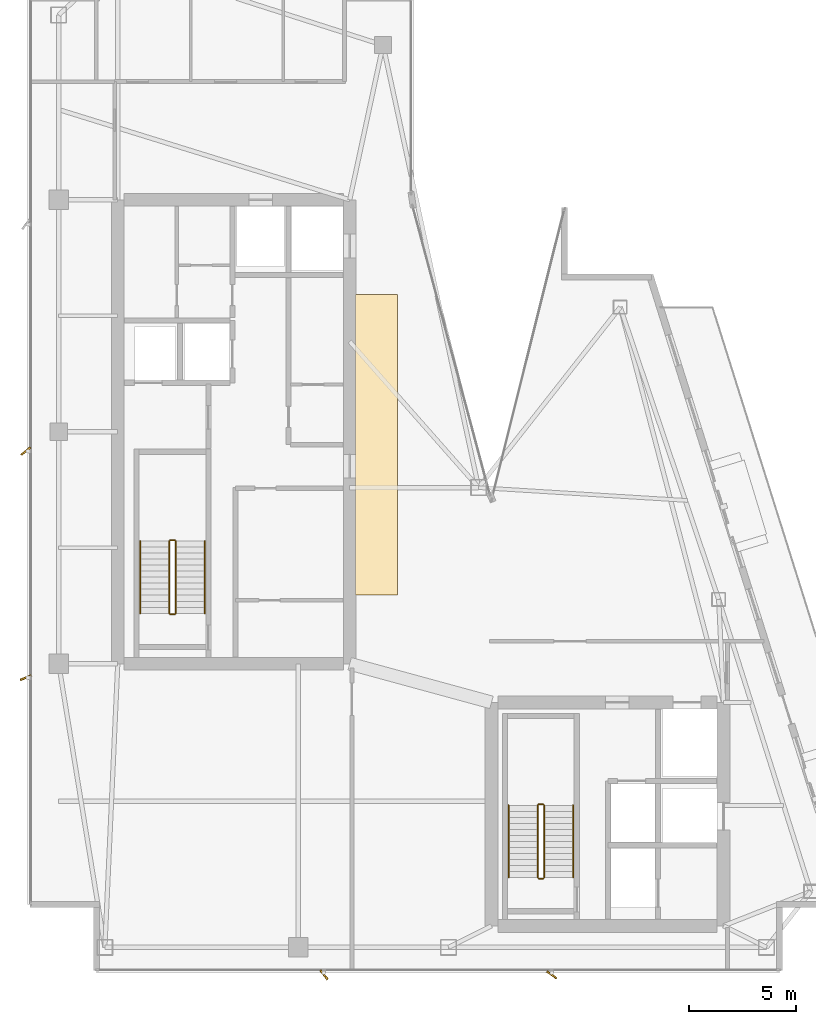
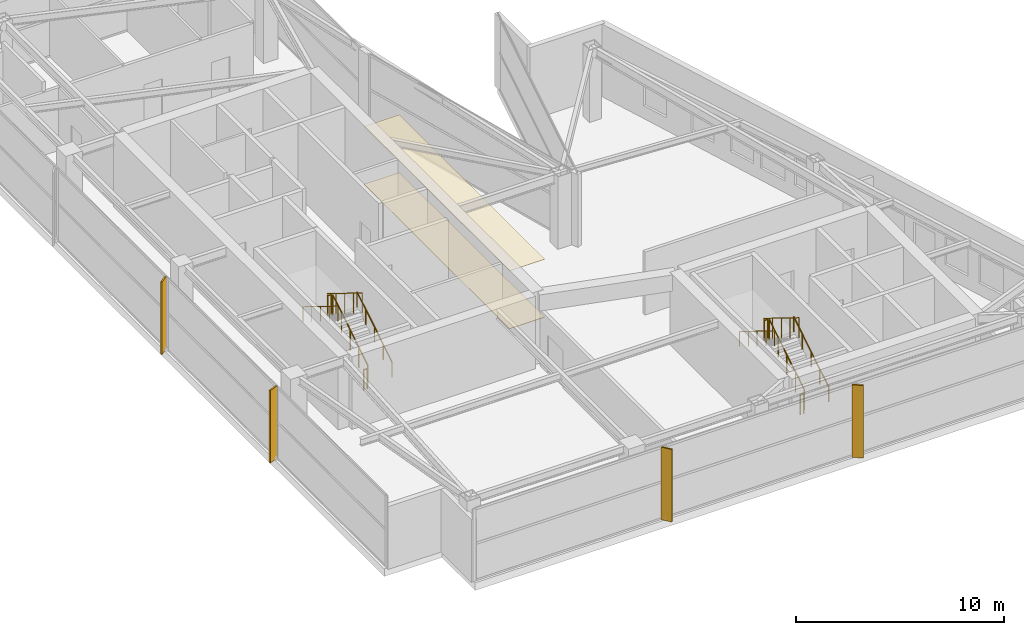
# One storey, part 24 of 25: 12 railings, 4 shading devices, 2 coverings.
"""IFC4 building model written with IfcOpenShell, lengths in metres."""

from ifc_helpers import new_model, si_unit, direction, frame, origin, origin_2d, place, context, subcontext, project, spatial, rectangle, circle, extrude, material, layer, layer_set, type_object, element, save


model = new_model("IFC4")

# Units and contexts
model_context = context("Model", 3, precision=1e-05, world=origin(), true_north=direction((0.0, 1.0)))
body_context = subcontext(model_context, "Body", "Model", "MODEL_VIEW")
ifc_project = project(units=[si_unit("LENGTHUNIT", "METRE"), si_unit("AREAUNIT", "SQUARE_METRE"), si_unit("VOLUMEUNIT", "CUBIC_METRE"), si_unit("PLANEANGLEUNIT", "RADIAN"), si_unit("MASSUNIT", "GRAM", prefix="KILO")], contexts=[model_context])

# Site, building, storey
site_placement = place(None, origin())
site = spatial("IfcSite", under=ifc_project, at=site_placement, CompositionType="ELEMENT")
building_placement = place(site_placement, origin())
building = spatial("IfcBuilding", under=site, at=building_placement, Name="Calvorn Quay Hotel", CompositionType="ELEMENT")
storey_placement = place(building_placement, frame((0.0, 0.0, 307.0)))
storey = spatial("IfcBuildingStorey", under=building, at=storey_placement, Name="L76", CompositionType="ELEMENT", Elevation=307.0)

# Coverings
ifc_material_1 = material(Name="Anodised Aluminium Acoustic Baffle", Category="aluminium")
ifc_layer_1 = layer(ifc_material_1, 0.02001953125)
ifc_layer_set_1 = layer_set([ifc_layer_1], Name="COV-CEIL-METAL")
covering_type_1 = type_object("IfcCoveringType", Name="COV-CEIL-METAL", PredefinedType="CEILING", material=ifc_layer_set_1)
covering_1_placement = place(storey_placement, frame((16.25, 27.0, 3.39990234375), z_axis=(0.0, 0.0, 1.0), x_axis=(1.0, 0.0, 0.0)))
element("IfcCovering", 1, at=covering_1_placement, inside=storey, type_object=covering_type_1, Name="Acoustic Suspended Ceiling (L76)", PredefinedType="CEILING", context=body_context, shape_type="SweptSolid", body=[
    extrude(rectangle(XDim=1.9599609375, YDim=14.0, at=origin_2d()), origin(), (0.0, 0.0, 1.0), 0.02001953125),
])
ifc_material_2 = material(Name="Honed Granite Stone Flooring", Category="masonry")
ifc_layer_2 = layer(ifc_material_2, 0.02392578125)
ifc_layer_set_2 = layer_set([ifc_layer_2], Name="COV-FLOOR-STONE")
covering_type_2 = type_object("IfcCoveringType", Name="COV-FLOOR-STONE", PredefinedType="FLOORING", material=ifc_layer_set_2)
covering_2_placement = place(storey_placement, frame((16.25, 27.0, 0.0), z_axis=(0.0, 0.0, 1.0), x_axis=(1.0, 0.0, 0.0)))
element("IfcCovering", 2, at=covering_2_placement, inside=storey, type_object=covering_type_2, Name="Interior Floor Finish (L76)", PredefinedType="FLOORING", context=body_context, shape_type="SweptSolid", body=[
    extrude(rectangle(XDim=1.9599609375, YDim=14.0, at=origin_2d()), origin(), (0.0, 0.0, 1.0), 0.02392578125),
])

# Railings
ifc_material_3 = material(Name="Brushed Stainless Steel Handrail", Category="steel")
railing_type_1 = type_object("IfcRailingType", Name="RLG-HANDRAIL-900", PredefinedType="HANDRAIL", material=ifc_material_3)
railing_1_placement = place(storey_placement, frame((8.25, 19.14990234375, 0.173095703125)))
element("IfcRailing", 3, at=railing_1_placement, inside=storey, type_object=railing_type_1, Name="L76 ST-W stair handrail 1", PredefinedType="HANDRAIL", context=body_context, shape_type="SweptSolid", body=[
    extrude(circle(Radius=0.02392578125, at=origin_2d()), frame((0.0, 0.0, 0.8759765625), z_axis=(0.0, 0.850623216509, 0.525775754039), x_axis=(-1.0, 0.0, 0.0)), (0.0, 0.0, 1.0), 3.9501953125),
    extrude(circle(Radius=0.02099609375, at=origin_2d()), origin(), (0.0, 0.0, 1.0), 0.851806640625),
    extrude(circle(Radius=0.02099609375, at=origin_2d()), frame((0.0, 0.840087890625, 0.519287109375)), (0.0, 0.0, 1.0), 0.851806640625),
    extrude(circle(Radius=0.02099609375, at=origin_2d()), frame((0.0, 1.68017578125, 1.03857421875)), (0.0, 0.0, 1.0), 0.851806640625),
    extrude(circle(Radius=0.02099609375, at=origin_2d()), frame((0.0, 2.52001953125, 1.5576171875)), (0.0, 0.0, 1.0), 0.851806640625),
    extrude(circle(Radius=0.02099609375, at=origin_2d()), frame((0.0, 3.360107421875, 2.076904296875)), (0.0, 0.0, 1.0), 0.851806640625),
])
railing_2_placement = place(storey_placement, frame((5.25, 22.510009765625, 2.423095703125)))
element("IfcRailing", 4, at=railing_2_placement, inside=storey, type_object=railing_type_1, Name="L76 ST-W stair handrail 2", PredefinedType="HANDRAIL", context=body_context, shape_type="SweptSolid", body=[
    extrude(circle(Radius=0.02392578125, at=origin_2d()), frame((0.0, 0.0, 0.8759765625), z_axis=(0.0, -0.850623216509, 0.525775754039), x_axis=(1.0, 0.0, 0.0)), (0.0, 0.0, 1.0), 3.9501953125),
    extrude(circle(Radius=0.02099609375, at=origin_2d()), origin(), (0.0, 0.0, 1.0), 0.851806640625),
    extrude(circle(Radius=0.02099609375, at=origin_2d()), frame((0.0, -0.840087890625, 0.519287109375)), (0.0, 0.0, 1.0), 0.851806640625),
    extrude(circle(Radius=0.02099609375, at=origin_2d()), frame((0.0, -1.68017578125, 1.03857421875)), (0.0, 0.0, 1.0), 0.851806640625),
    extrude(circle(Radius=0.02099609375, at=origin_2d()), frame((0.0, -2.52001953125, 1.5576171875)), (0.0, 0.0, 1.0), 0.851806640625),
    extrude(circle(Radius=0.02099609375, at=origin_2d()), frame((0.0, -3.360107421875, 2.076904296875)), (0.0, 0.0, 1.0), 0.851806640625),
])
railing_3_placement = place(storey_placement, frame((25.39990234375, 6.85009765625, 0.173095703125)))
element("IfcRailing", 5, at=railing_3_placement, inside=storey, type_object=railing_type_1, Name="L76 ST-E stair handrail 1", PredefinedType="HANDRAIL", context=body_context, shape_type="SweptSolid", body=[
    extrude(circle(Radius=0.02392578125, at=origin_2d()), frame((0.0, 0.0, 0.8759765625), z_axis=(0.0, 0.850606129759, 0.525803396734), x_axis=(-1.0, 0.0, 0.0)), (0.0, 0.0, 1.0), 3.949951171875),
    extrude(circle(Radius=0.02099609375, at=origin_2d()), origin(), (0.0, 0.0, 1.0), 0.851806640625),
    extrude(circle(Radius=0.02099609375, at=origin_2d()), frame((0.0, 0.83984375, 0.519287109375)), (0.0, 0.0, 1.0), 0.851806640625),
    extrude(circle(Radius=0.02099609375, at=origin_2d()), frame((0.0, 1.679931640625, 1.03857421875)), (0.0, 0.0, 1.0), 0.851806640625),
    extrude(circle(Radius=0.02099609375, at=origin_2d()), frame((0.0, 2.52001953125, 1.5576171875)), (0.0, 0.0, 1.0), 0.851806640625),
    extrude(circle(Radius=0.02099609375, at=origin_2d()), frame((0.0, 3.35986328125, 2.076904296875)), (0.0, 0.0, 1.0), 0.851806640625),
])
railing_4_placement = place(storey_placement, frame((22.39990234375, 10.2099609375, 2.423095703125)))
element("IfcRailing", 6, at=railing_4_placement, inside=storey, type_object=railing_type_1, Name="L76 ST-E stair handrail 2", PredefinedType="HANDRAIL", context=body_context, shape_type="SweptSolid", body=[
    extrude(circle(Radius=0.02392578125, at=origin_2d()), frame((0.0, 0.0, 0.8759765625), z_axis=(0.0, -0.850606129759, 0.525803396734), x_axis=(1.0, 0.0, 0.0)), (0.0, 0.0, 1.0), 3.949951171875),
    extrude(circle(Radius=0.02099609375, at=origin_2d()), origin(), (0.0, 0.0, 1.0), 0.851806640625),
    extrude(circle(Radius=0.02099609375, at=origin_2d()), frame((0.0, -0.83984375, 0.519287109375)), (0.0, 0.0, 1.0), 0.851806640625),
    extrude(circle(Radius=0.02099609375, at=origin_2d()), frame((0.0, -1.679931640625, 1.03857421875)), (0.0, 0.0, 1.0), 0.851806640625),
    extrude(circle(Radius=0.02099609375, at=origin_2d()), frame((0.0, -2.52001953125, 1.5576171875)), (0.0, 0.0, 1.0), 0.851806640625),
    extrude(circle(Radius=0.02099609375, at=origin_2d()), frame((0.0, -3.35986328125, 2.076904296875)), (0.0, 0.0, 1.0), 0.851806640625),
])
ifc_material_4 = material(Name="Painted Galvanised Steel Balustrade", Category="steel")
railing_type_2 = type_object("IfcRailingType", Name="RLG-STAIR-GUARD-1120", PredefinedType="GUARDRAIL", material=ifc_material_4)
railing_5_placement = place(storey_placement, frame((6.89990234375, 19.14990234375, 0.173095703125)))
element("IfcRailing", 7, at=railing_5_placement, inside=storey, type_object=railing_type_2, Name="L76 ST-W stair guard 1", PredefinedType="GUARDRAIL", context=body_context, shape_type="SweptSolid", body=[
    extrude(circle(Radius=0.02392578125, at=origin_2d()), frame((0.0, 0.0, 1.17578125), z_axis=(0.0, 0.850623216509, 0.525775754039), x_axis=(-1.0, 0.0, 0.0)), (0.0, 0.0, 1.0), 3.9501953125),
    extrude(circle(Radius=0.02099609375, at=origin_2d()), origin(), (0.0, 0.0, 1.0), 1.15185546875),
    extrude(circle(Radius=0.02099609375, at=origin_2d()), frame((0.0, 0.840087890625, 0.519287109375)), (0.0, 0.0, 1.0), 1.15185546875),
    extrude(circle(Radius=0.02099609375, at=origin_2d()), frame((0.0, 1.68017578125, 1.03857421875)), (0.0, 0.0, 1.0), 1.15185546875),
    extrude(circle(Radius=0.02099609375, at=origin_2d()), frame((0.0, 2.52001953125, 1.5576171875)), (0.0, 0.0, 1.0), 1.15185546875),
    extrude(circle(Radius=0.02099609375, at=origin_2d()), frame((0.0, 3.360107421875, 2.076904296875)), (0.0, 0.0, 1.0), 1.15185546875),
])
railing_6_placement = place(storey_placement, frame((6.85009765625, 22.56005859375, 2.25)))
element("IfcRailing", 8, at=railing_6_placement, inside=storey, type_object=railing_type_2, Name="L76 ST-W stair guard 2", PredefinedType="GUARDRAIL", context=body_context, shape_type="SweptSolid", body=[
    extrude(circle(Radius=0.02392578125, at=origin_2d()), frame((0.0, 0.0, 1.17578125), z_axis=(-1.0, 0.0, 0.0), x_axis=(0.0, -1.0, 0.0)), (0.0, 0.0, 1.0), 0.2001953125),
    extrude(circle(Radius=0.02099609375, at=origin_2d()), origin(), (0.0, 0.0, 1.0), 1.15185546875),
    extrude(circle(Radius=0.02099609375, at=origin_2d()), frame((-0.2001953125, 0.0, 0.0)), (0.0, 0.0, 1.0), 1.15185546875),
])
railing_7_placement = place(storey_placement, frame((6.60009765625, 22.510009765625, 2.423095703125)))
element("IfcRailing", 9, at=railing_7_placement, inside=storey, type_object=railing_type_2, Name="L76 ST-W stair guard 3", PredefinedType="GUARDRAIL", context=body_context, shape_type="SweptSolid", body=[
    extrude(circle(Radius=0.02392578125, at=origin_2d()), frame((0.0, 0.0, 1.17578125), z_axis=(0.0, -0.850623216509, 0.525775754039), x_axis=(1.0, 0.0, 0.0)), (0.0, 0.0, 1.0), 3.9501953125),
    extrude(circle(Radius=0.02099609375, at=origin_2d()), origin(), (0.0, 0.0, 1.0), 1.15185546875),
    extrude(circle(Radius=0.02099609375, at=origin_2d()), frame((0.0, -0.840087890625, 0.519287109375)), (0.0, 0.0, 1.0), 1.15185546875),
    extrude(circle(Radius=0.02099609375, at=origin_2d()), frame((0.0, -1.68017578125, 1.03857421875)), (0.0, 0.0, 1.0), 1.15185546875),
    extrude(circle(Radius=0.02099609375, at=origin_2d()), frame((0.0, -2.52001953125, 1.5576171875)), (0.0, 0.0, 1.0), 1.15185546875),
    extrude(circle(Radius=0.02099609375, at=origin_2d()), frame((0.0, -3.360107421875, 2.076904296875)), (0.0, 0.0, 1.0), 1.15185546875),
])
railing_8_placement = place(storey_placement, frame((6.85009765625, 19.10009765625, 0.0)))
element("IfcRailing", 10, at=railing_8_placement, inside=storey, type_object=railing_type_2, Name="L76 ST-W stair guard 4", PredefinedType="GUARDRAIL", context=body_context, shape_type="SweptSolid", body=[
    extrude(circle(Radius=0.02392578125, at=origin_2d()), frame((0.0, 0.0, 1.17578125), z_axis=(-1.0, 0.0, 0.0), x_axis=(0.0, -1.0, 0.0)), (0.0, 0.0, 1.0), 0.2001953125),
    extrude(circle(Radius=0.02099609375, at=origin_2d()), origin(), (0.0, 0.0, 1.0), 1.15185546875),
    extrude(circle(Radius=0.02099609375, at=origin_2d()), frame((-0.2001953125, 0.0, 0.0)), (0.0, 0.0, 1.0), 1.15185546875),
])
railing_9_placement = place(storey_placement, frame((24.050048828125, 6.85009765625, 0.173095703125)))
element("IfcRailing", 11, at=railing_9_placement, inside=storey, type_object=railing_type_2, Name="L76 ST-E stair guard 1", PredefinedType="GUARDRAIL", context=body_context, shape_type="SweptSolid", body=[
    extrude(circle(Radius=0.02392578125, at=origin_2d()), frame((0.0, 0.0, 1.17578125), z_axis=(0.0, 0.850606129759, 0.525803396734), x_axis=(-1.0, 0.0, 0.0)), (0.0, 0.0, 1.0), 3.949951171875),
    extrude(circle(Radius=0.02099609375, at=origin_2d()), origin(), (0.0, 0.0, 1.0), 1.15185546875),
    extrude(circle(Radius=0.02099609375, at=origin_2d()), frame((0.0, 0.83984375, 0.519287109375)), (0.0, 0.0, 1.0), 1.15185546875),
    extrude(circle(Radius=0.02099609375, at=origin_2d()), frame((0.0, 1.679931640625, 1.03857421875)), (0.0, 0.0, 1.0), 1.15185546875),
    extrude(circle(Radius=0.02099609375, at=origin_2d()), frame((0.0, 2.52001953125, 1.5576171875)), (0.0, 0.0, 1.0), 1.15185546875),
    extrude(circle(Radius=0.02099609375, at=origin_2d()), frame((0.0, 3.35986328125, 2.076904296875)), (0.0, 0.0, 1.0), 1.15185546875),
])
railing_10_placement = place(storey_placement, frame((24.0, 10.260009765625, 2.25)))
element("IfcRailing", 12, at=railing_10_placement, inside=storey, type_object=railing_type_2, Name="L76 ST-E stair guard 2", PredefinedType="GUARDRAIL", context=body_context, shape_type="SweptSolid", body=[
    extrude(circle(Radius=0.02392578125, at=origin_2d()), frame((0.0, 0.0, 1.17578125), z_axis=(-1.0, 0.0, 0.0), x_axis=(0.0, -1.0, 0.0)), (0.0, 0.0, 1.0), 0.199951171875),
    extrude(circle(Radius=0.02099609375, at=origin_2d()), origin(), (0.0, 0.0, 1.0), 1.15185546875),
    extrude(circle(Radius=0.02099609375, at=origin_2d()), frame((-0.199951171875, 0.0, 0.0)), (0.0, 0.0, 1.0), 1.15185546875),
])
railing_11_placement = place(storey_placement, frame((23.75, 10.2099609375, 2.423095703125)))
element("IfcRailing", 13, at=railing_11_placement, inside=storey, type_object=railing_type_2, Name="L76 ST-E stair guard 3", PredefinedType="GUARDRAIL", context=body_context, shape_type="SweptSolid", body=[
    extrude(circle(Radius=0.02392578125, at=origin_2d()), frame((0.0, 0.0, 1.17578125), z_axis=(0.0, -0.850606129759, 0.525803396734), x_axis=(1.0, 0.0, 0.0)), (0.0, 0.0, 1.0), 3.949951171875),
    extrude(circle(Radius=0.02099609375, at=origin_2d()), origin(), (0.0, 0.0, 1.0), 1.15185546875),
    extrude(circle(Radius=0.02099609375, at=origin_2d()), frame((0.0, -0.83984375, 0.519287109375)), (0.0, 0.0, 1.0), 1.15185546875),
    extrude(circle(Radius=0.02099609375, at=origin_2d()), frame((0.0, -1.679931640625, 1.03857421875)), (0.0, 0.0, 1.0), 1.15185546875),
    extrude(circle(Radius=0.02099609375, at=origin_2d()), frame((0.0, -2.52001953125, 1.5576171875)), (0.0, 0.0, 1.0), 1.15185546875),
    extrude(circle(Radius=0.02099609375, at=origin_2d()), frame((0.0, -3.35986328125, 2.076904296875)), (0.0, 0.0, 1.0), 1.15185546875),
])
railing_12_placement = place(storey_placement, frame((24.0, 6.800048828125, 0.0)))
element("IfcRailing", 14, at=railing_12_placement, inside=storey, type_object=railing_type_2, Name="L76 ST-E stair guard 4", PredefinedType="GUARDRAIL", context=body_context, shape_type="SweptSolid", body=[
    extrude(circle(Radius=0.02392578125, at=origin_2d()), frame((0.0, 0.0, 1.17578125), z_axis=(-1.0, 0.0, 0.0), x_axis=(0.0, -1.0, 0.0)), (0.0, 0.0, 1.0), 0.199951171875),
    extrude(circle(Radius=0.02099609375, at=origin_2d()), origin(), (0.0, 0.0, 1.0), 1.15185546875),
    extrude(circle(Radius=0.02099609375, at=origin_2d()), frame((-0.199951171875, 0.0, 0.0)), (0.0, 0.0, 1.0), 1.15185546875),
])

# Shading devices
ifc_material_5 = material(Name="Champagne Bronze Anodised Aluminium 6063-T6", Category="aluminium")
shading_device_type_1 = type_object("IfcShadingDeviceType", Name="SHD-FIN-A1", PredefinedType="USERDEFINED", material=ifc_material_5)
shading_device_1_placement = place(storey_placement, frame((-0.080078125, 16.14990234375, 0.0), z_axis=(0.0, 0.0, 1.0), x_axis=(0.927183854567, 0.374606593416, 0.0)))
element("IfcShadingDevice", 15, at=shading_device_1_placement, inside=storey, type_object=shading_device_type_1, Name="Diagonal Sun-Shading Fin L76-W01", ObjectType="FIN", PredefinedType="USERDEFINED", context=body_context, shape_type="SweptSolid", body=[
    extrude(rectangle(XDim=0.550048828125, YDim=0.080078125, at=origin_2d()), origin(), (0.0, 0.0, 1.0), 4.260009765625),
])
ifc_material_6 = material(Name="Champagne Bronze Anodised Aluminium 6063-T6", Category="aluminium")
shading_device_type_2 = type_object("IfcShadingDeviceType", Name="SHD-FIN-A2", PredefinedType="USERDEFINED", material=ifc_material_6)
for number, where, z_axis, x_axis, name in (
    (16, (-0.080078125, 26.699951171875, 0.0), (0.0, 0.0, 1.0), (0.788010753607, 0.615661475326, 0.0), "Diagonal Sun-Shading Fin L76-W02"),
    (17, (13.800048828125, 2.320068359375, 0.0), (0.0, 0.0, 1.0), (-0.615661475326, 0.788010753607, 0.0), "Diagonal Sun-Shading Fin L76-S01"),
):
    element("IfcShadingDevice", number, at=place(storey_placement, frame(where, z_axis=z_axis, x_axis=x_axis)), inside=storey, type_object=shading_device_type_2, Name=name, ObjectType="FIN", PredefinedType="USERDEFINED", context=body_context, shape_type="SweptSolid", body=[
        extrude(rectangle(XDim=0.550048828125, YDim=0.080078125, at=origin_2d()), origin(), (0.0, 0.0, 1.0), 4.260009765625),
    ])
ifc_material_7 = material(Name="Champagne Bronze Anodised Aluminium 6063-T6", Category="aluminium")
shading_device_type_3 = type_object("IfcShadingDeviceType", Name="SHD-FIN-A3", PredefinedType="USERDEFINED", material=ifc_material_7)
shading_device_2_placement = place(storey_placement, frame((24.39990234375, 2.320068359375, 0.0), z_axis=(0.0, 0.0, 1.0), x_axis=(-0.809016994375, 0.587785252292, 0.0)))
element("IfcShadingDevice", 18, at=shading_device_2_placement, inside=storey, type_object=shading_device_type_3, Name="Diagonal Sun-Shading Fin L76-S02", ObjectType="FIN", PredefinedType="USERDEFINED", context=body_context, shape_type="SweptSolid", body=[
    extrude(rectangle(XDim=0.550048828125, YDim=0.080078125, at=origin_2d()), origin(), (0.0, 0.0, 1.0), 4.260009765625),
])

save(model, "model.ifc")
